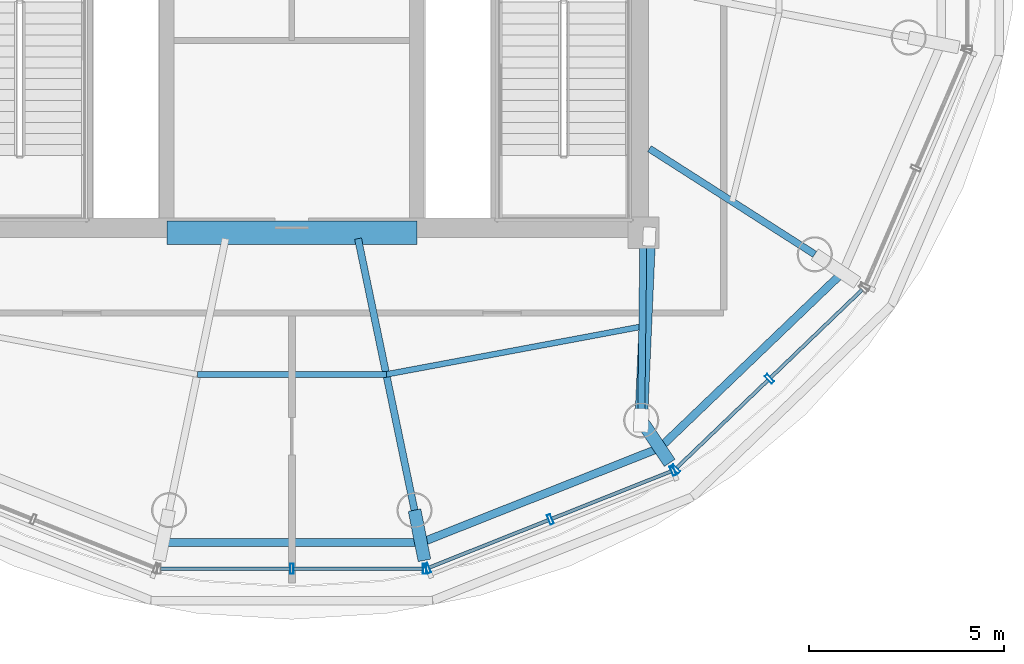
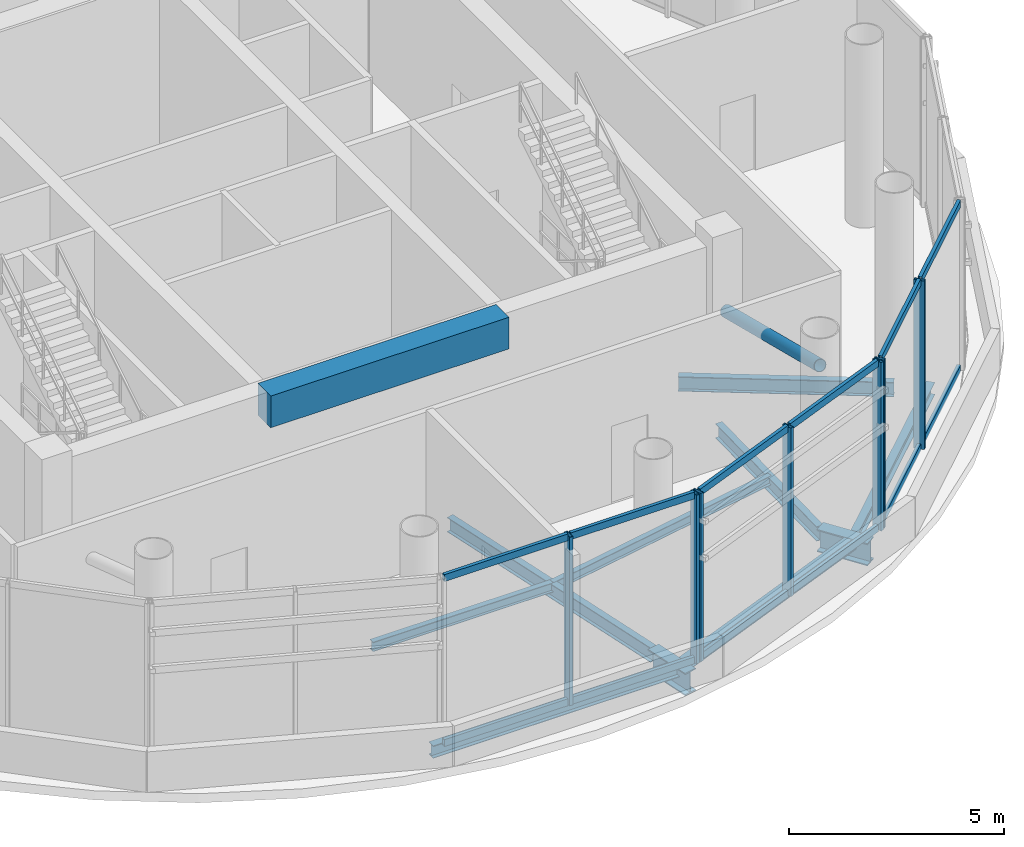
# One storey, part 3 of 15: 20 members, 11 beams, 3 elements without a shape of their own.
"""IFC4 building model written with IfcOpenShell, lengths in metres."""

from ifc_helpers import new_model, si_unit, direction, frame, origin, origin_2d, place, context, subcontext, project, spatial, rectangle, hollow_rectangle, hollow_circle, i_section, extrude, source, transform, mapped, material, material_profile, profile_set, type_object, element, aggregate, save


model = new_model("IFC4")

# Units and contexts
model_context = context("Model", 3, precision=1e-05, world=origin(), true_north=direction((-0.2419218956, 0.970295726276)))
body_context = subcontext(model_context, "Body", "Model", "MODEL_VIEW")
ifc_project = project(units=[si_unit("LENGTHUNIT", "METRE"), si_unit("AREAUNIT", "SQUARE_METRE"), si_unit("VOLUMEUNIT", "CUBIC_METRE"), si_unit("PLANEANGLEUNIT", "RADIAN"), si_unit("MASSUNIT", "GRAM", prefix="KILO")], contexts=[model_context])

# Site, building, storey
site_placement = place(None, origin())
site = spatial("IfcSite", under=ifc_project, at=site_placement, CompositionType="ELEMENT")
building_placement = place(site_placement, origin())
building = spatial("IfcBuilding", under=site, at=building_placement, Name="Cobrevalo Terracotta Tower", CompositionType="ELEMENT")
storey_placement = place(building_placement, frame((0.0, 0.0, 306.10009765625)))
storey = spatial("IfcBuildingStorey", under=building, at=storey_placement, Name="L80", CompositionType="ELEMENT", Elevation=306.10009765625)

# Beams
ifc_material_1 = material(Name="Concrete C60", Category="concrete")
ifc_material_profile_1 = material_profile(ifc_material_1, rectangle(XDim=0.60009765625, YDim=0.89990234375, at=origin_2d()), Name="RC CB 600x900")
ifc_profile_set_1 = profile_set([ifc_material_profile_1], Name="Concrete C60")
beam_type_1 = type_object("IfcBeamType", Name="Structural Beam RC CB 600x900 (Concrete C60)", PredefinedType="BEAM", material=ifc_profile_set_1)
beam_1_placement = place(storey_placement, frame((34.800048828125, 18.800048828125, 4.329833984375), z_axis=(1.0, 0.0, 0.0), x_axis=(0.0, 1.0, 0.0)))
element("IfcBeam", 1, at=beam_1_placement, inside=storey, type_object=beam_type_1, Name="L80 core coupling beam 1", PredefinedType="BEAM", context=body_context, shape_type="SweptSolid", body=[
    extrude(rectangle(XDim=0.60009765625, YDim=0.89990234375, at=origin_2d()), origin(), (0.0, 0.0, 1.0), 6.39990234375),
])
ifc_material_2 = material(Name="Steel S355", Category="steel")
ifc_material_profile_2 = material_profile(ifc_material_2, i_section(OverallWidth=0.179931640625, OverallDepth=0.4130859375, WebThickness=0.009765625, FlangeThickness=0.01611328125, at=origin_2d()), Name="W 410x75")
ifc_profile_set_2 = profile_set([ifc_material_profile_2], Name="Steel S355")
beam_type_2 = type_object("IfcBeamType", Name="Structural Beam W 410x75 (Steel S355)", PredefinedType="BEAM", material=ifc_profile_set_2)
beam_2_placement = place(storey_placement, frame((41.140869140625, 11.69580078125, -0.626708984375), z_axis=(-0.203591619703, 0.9790558985, 0.0), x_axis=(-0.9790558985, -0.203591619703, 0.0)))
element("IfcBeam", 2, at=beam_2_placement, inside=storey, type_object=beam_type_2, Name="L80 radial floor girder 13", PredefinedType="BEAM", context=body_context, shape_type="SweptSolid", body=[
    extrude(i_section(OverallWidth=0.179931640625, OverallDepth=0.4130859375, WebThickness=0.009765625, FlangeThickness=0.01611328125, at=origin_2d()), origin(), (0.0, 0.0, 1.0), 7.097900390625),
])
beam_3_placement = place(storey_placement, frame((46.944580078125, 13.995361328125, -0.626708984375), z_axis=(0.01153378561, 0.999933483683, 0.0), x_axis=(-0.999933483683, 0.01153378561, 0.0)))
element("IfcBeam", 3, at=beam_3_placement, inside=storey, type_object=beam_type_2, Name="L80 radial floor girder 14", PredefinedType="BEAM", context=body_context, shape_type="SweptSolid", body=[
    extrude(i_section(OverallWidth=0.179931640625, OverallDepth=0.4130859375, WebThickness=0.009765625, FlangeThickness=0.01611328125, at=origin_2d()), origin(), (0.0, 0.0, 1.0), 4.804931640625),
])
beam_4_placement = place(storey_placement, frame((51.38671875, 18.244140625, -0.626708984375), z_axis=(-0.84260496226, 0.538532150921, 0.0), x_axis=(-0.538532150921, -0.84260496226, 0.0)))
element("IfcBeam", 4, at=beam_4_placement, inside=storey, type_object=beam_type_2, Name="L80 radial floor girder 15", PredefinedType="BEAM", context=body_context, shape_type="SweptSolid", body=[
    extrude(i_section(OverallWidth=0.179931640625, OverallDepth=0.4130859375, WebThickness=0.009765625, FlangeThickness=0.01611328125, at=origin_2d()), origin(), (0.0, 0.0, 1.0), 5.022216796875),
])
ifc_material_profile_3 = material_profile(ifc_material_2, i_section(OverallWidth=0.3291015625, OverallDepth=0.635009765625, WebThickness=0.017822265625, FlangeThickness=0.031005859375, at=origin_2d()), Name="W 610x241")
ifc_profile_set_3 = profile_set([ifc_material_profile_3], Name="Steel S355")
beam_type_3 = type_object("IfcBeamType", Name="Structural Beam W 610x241 (Steel S355)", PredefinedType="BEAM", material=ifc_profile_set_3)
for number, where, z_axis, x_axis, name in (
    (5, (41.396484375, 10.4111328125, -0.737548828125), (-0.195148255679, 0.980773754902, 0.0), (-0.980773754902, -0.195148255679, 0.0), "L80 setback step-link girder 13"),
    (6, (47.67236328125, 12.90625, -0.737548828125), (-0.555603102571, 0.831447648631, 0.0), (-0.831447648631, -0.555603102571, 0.0), "L80 setback step-link girder 14"),
):
    element("IfcBeam", number, at=place(storey_placement, frame(where, z_axis=z_axis, x_axis=x_axis)), inside=storey, type_object=beam_type_3, Name=name, PredefinedType="BEAM", context=body_context, shape_type="SweptSolid", body=[
        extrude(i_section(OverallWidth=0.3291015625, OverallDepth=0.635009765625, WebThickness=0.017822265625, FlangeThickness=0.031005859375, at=origin_2d()), origin(), (0.0, 0.0, 1.0), 1.309814453125),
    ])
ifc_material_profile_4 = material_profile(ifc_material_2, i_section(OverallWidth=0.14794921875, OverallDepth=0.26611328125, WebThickness=0.007568359375, FlangeThickness=0.012939453125, at=origin_2d()), Name="W 250x44.8")
ifc_profile_set_4 = profile_set([ifc_material_profile_4], Name="Steel S355")
beam_type_4 = type_object("IfcBeamType", Name="Structural Joist W 250x44.8 (Steel S355)", PredefinedType="JOIST", material=ifc_profile_set_4)
beam_5_placement = place(storey_placement, frame((35.58154296875, 15.17041015625, -0.552978515625), z_axis=(1.0, 0.0, 0.0), x_axis=(0.0, 1.0, 0.0)))
element("IfcBeam", 7, at=beam_5_placement, inside=storey, type_object=beam_type_4, Name="L80 circumferential secondary floor joist 12", PredefinedType="JOIST", context=body_context, shape_type="SweptSolid", body=[
    extrude(i_section(OverallWidth=0.14794921875, OverallDepth=0.26611328125, WebThickness=0.007568359375, FlangeThickness=0.012939453125, at=origin_2d()), origin(), (0.0, 0.0, 1.0), 4.8369140625),
])
beam_6_placement = place(storey_placement, frame((40.41845703125, 15.17041015625, -0.552978515625), z_axis=(0.982914854387, 0.184060829689, 0.0), x_axis=(-0.184060829689, 0.982914854387, 0.0)))
element("IfcBeam", 8, at=beam_6_placement, inside=storey, type_object=beam_type_4, Name="L80 circumferential secondary floor joist 13", PredefinedType="JOIST", context=body_context, shape_type="SweptSolid", body=[
    extrude(i_section(OverallWidth=0.14794921875, OverallDepth=0.26611328125, WebThickness=0.007568359375, FlangeThickness=0.012939453125, at=origin_2d()), origin(), (0.0, 0.0, 1.0), 6.66796875),
])
ifc_material_profile_5 = material_profile(ifc_material_2, i_section(OverallWidth=0.205078125, OverallDepth=0.35400390625, WebThickness=0.009521484375, FlangeThickness=0.016845703125, at=origin_2d()), Name="W 360x79")
ifc_profile_set_5 = profile_set([ifc_material_profile_5], Name="Steel S355")
beam_type_5 = type_object("IfcBeamType", Name="Structural Spandrel W 360x79 (Steel S355)", PredefinedType="SPANDREL", material=ifc_profile_set_5)
beam_7_placement = place(storey_placement, frame((34.693115234375, 10.8623046875, -0.59716796875), z_axis=(1.0, 0.0, 0.0), x_axis=(0.0, 1.0, 0.0)))
element("IfcBeam", 9, at=beam_7_placement, inside=storey, type_object=beam_type_5, Name="L80 perimeter ring spandrel 12", PredefinedType="SPANDREL", context=body_context, shape_type="SweptSolid", body=[
    extrude(i_section(OverallWidth=0.205078125, OverallDepth=0.35400390625, WebThickness=0.009521484375, FlangeThickness=0.016845703125, at=origin_2d()), origin(), (0.0, 0.0, 1.0), 6.61376953125),
])
beam_8_placement = place(storey_placement, frame((41.306884765625, 10.8623046875, -0.59716796875), z_axis=(0.929406010795, 0.369058893806, 0.0), x_axis=(-0.369058893806, 0.929406010795, 0.0)))
element("IfcBeam", 10, at=beam_8_placement, inside=storey, type_object=beam_type_5, Name="L80 perimeter ring spandrel 13", PredefinedType="SPANDREL", context=body_context, shape_type="SweptSolid", body=[
    extrude(i_section(OverallWidth=0.205078125, OverallDepth=0.35400390625, WebThickness=0.009521484375, FlangeThickness=0.016845703125, at=origin_2d()), origin(), (0.0, 0.0, 1.0), 6.57421875),
])
beam_9_placement = place(storey_placement, frame((47.4169921875, 13.28857421875, -0.59716796875), z_axis=(0.721854060625, 0.692045312938, 0.0), x_axis=(-0.692045312938, 0.721854060625, 0.0)))
element("IfcBeam", 11, at=beam_9_placement, inside=storey, type_object=beam_type_5, Name="L80 perimeter ring spandrel 14", PredefinedType="SPANDREL", context=body_context, shape_type="SweptSolid", body=[
    extrude(i_section(OverallWidth=0.205078125, OverallDepth=0.35400390625, WebThickness=0.009521484375, FlangeThickness=0.016845703125, at=origin_2d()), origin(), (0.0, 0.0, 1.0), 6.478515625),
])

# Member
ifc_material_profile_6 = material_profile(ifc_material_2, hollow_circle(Radius=0.162109375, WallThickness=0.013916015625, at=origin_2d()), Name="CHS 324x14")
ifc_profile_set_6 = profile_set([ifc_material_profile_6], Name="Steel S355")
member_type_1 = type_object("IfcMemberType", Name="Steel Brace CHS 324x14 (Steel S355)", PredefinedType="BRACE", material=ifc_profile_set_6)
shared_shape_1 = source(origin(), body_context, "Body", "SweptSolid", [
    extrude(hollow_circle(Radius=0.162109375, WallThickness=0.013916015625, at=origin_2d()), origin(), (0.0, 0.0, 1.0), 4.906982421875),
])
member_1_placement = place(storey_placement, frame((47.14990234375, 18.699951171875, 2.75), z_axis=(-0.041842075868, -0.958735793071, 0.281202631159), x_axis=(0.999049003969, -0.043601464055, 0.0)))
element("IfcMember", 12, at=member_1_placement, inside=storey, type_object=member_type_1, Name="L80 CROWN FRAME radial brace 04", PredefinedType="BRACE", context=body_context, shape_type="MappedRepresentation", body=[
    mapped(shared_shape_1, transform((0.0, 0.0, 0.0), scale=1.0)),
])

# Curtain wall, members
ifc_material_3 = material(Name="Anodized aluminium", Category="aluminium")
curtain_wall_type = type_object("IfcCurtainWallType", Name="Faceted glass-point crown structural glazing system CW-CR", PredefinedType="NOTDEFINED", material=ifc_material_3)
curtain_wall_1_placement = place(storey_placement, origin())
curtain_wall_1 = element("IfcCurtainWall", 13, at=curtain_wall_1_placement, inside=storey, type_object=curtain_wall_type, Name="L80 curtain wall CW-CRN-L80-S12", PredefinedType="NOTDEFINED")
ifc_material_profile_7 = material_profile(ifc_material_3, hollow_rectangle(XDim=0.090087890625, YDim=0.260009765625, WallThickness=0.006103515625, at=origin_2d()), Name="CWM 90x260")
ifc_profile_set_7 = profile_set([ifc_material_profile_7], Name="Anodized aluminium")
member_type_2 = type_object("IfcMemberType", Name="Crown structural glass mullion 90x260", PredefinedType="MULLION", material=ifc_profile_set_7)
shared_shape_2 = source(origin(), body_context, "Body", "SweptSolid", [
    extrude(hollow_rectangle(XDim=0.090087890625, YDim=0.260009765625, WallThickness=0.006103515625, at=origin_2d()), origin(), (0.0, 0.0, 1.0), 4.77978515625),
])
member_2_placement = place(storey_placement, frame((38.0, 10.1953125, 0.0), z_axis=(0.0, 0.0, 1.0), x_axis=(1.0, 0.0, 0.0)))
member_2 = element("IfcMember", 14, at=member_2_placement, type_object=member_type_2, Name="CW-CRN-L80-S12 vertical mullion 02", PredefinedType="MULLION", context=body_context, shape_type="MappedRepresentation", body=[
    mapped(shared_shape_2, transform((0.0, 0.0, 0.0), scale=1.0)),
])
member_3_placement = place(storey_placement, frame((41.3994140625, 10.1953125, 0.0), z_axis=(0.0, 0.0, 1.0), x_axis=(1.0, 0.0, 0.0)))
member_3 = element("IfcMember", 15, at=member_3_placement, type_object=member_type_2, Name="CW-CRN-L80-S12 vertical mullion 03", PredefinedType="MULLION", context=body_context, shape_type="MappedRepresentation", body=[
    mapped(shared_shape_2, transform((0.0, 0.0, 0.0), scale=1.0)),
])

curtain_wall_2_placement = place(storey_placement, origin())
curtain_wall_2 = element("IfcCurtainWall", 16, at=curtain_wall_2_placement, inside=storey, type_object=curtain_wall_type, Name="L80 curtain wall CW-CRN-L80-S13", PredefinedType="NOTDEFINED")
member_4_placement = place(storey_placement, frame((41.4765625, 10.210205078125, 0.0), z_axis=(0.0, 0.0, 1.0), x_axis=(0.929190639756, 0.36960080491, 0.0)))
member_4 = element("IfcMember", 17, at=member_4_placement, type_object=member_type_2, Name="CW-CRN-L80-S13 vertical mullion 01", PredefinedType="MULLION", context=body_context, shape_type="MappedRepresentation", body=[
    mapped(shared_shape_2, transform((0.0, 0.0, 0.0), scale=1.0)),
])
member_5_placement = place(storey_placement, frame((44.6171875, 11.459228515625, 0.0), z_axis=(0.0, 0.0, 1.0), x_axis=(0.929190639756, 0.36960080491, 0.0)))
member_5 = element("IfcMember", 18, at=member_5_placement, type_object=member_type_2, Name="CW-CRN-L80-S13 vertical mullion 02", PredefinedType="MULLION", context=body_context, shape_type="MappedRepresentation", body=[
    mapped(shared_shape_2, transform((0.0, 0.0, 0.0), scale=1.0)),
])
member_6_placement = place(storey_placement, frame((47.757568359375, 12.70849609375, 0.0), z_axis=(0.0, 0.0, 1.0), x_axis=(0.929190639756, 0.36960080491, 0.0)))
member_6 = element("IfcMember", 19, at=member_6_placement, type_object=member_type_2, Name="CW-CRN-L80-S13 vertical mullion 03", PredefinedType="MULLION", context=body_context, shape_type="MappedRepresentation", body=[
    mapped(shared_shape_2, transform((0.0, 0.0, 0.0), scale=1.0)),
])

curtain_wall_3_placement = place(storey_placement, origin())
curtain_wall_3 = element("IfcCurtainWall", 20, at=curtain_wall_3_placement, inside=storey, type_object=curtain_wall_type, Name="L80 curtain wall CW-CRN-L80-S14", PredefinedType="NOTDEFINED")
member_7_placement = place(storey_placement, frame((47.823486328125, 12.7509765625, 0.0), z_axis=(0.0, 0.0, 1.0), x_axis=(0.721276845158, 0.692646888854, 0.0)))
member_7 = element("IfcMember", 21, at=member_7_placement, type_object=member_type_2, Name="CW-CRN-L80-S14 vertical mullion 01", PredefinedType="MULLION", context=body_context, shape_type="MappedRepresentation", body=[
    mapped(shared_shape_2, transform((0.0, 0.0, 0.0), scale=1.0)),
])
member_8_placement = place(storey_placement, frame((50.226806640625, 15.05859375, 0.0), z_axis=(0.0, 0.0, 1.0), x_axis=(0.721276845158, 0.692646888854, 0.0)))
member_8 = element("IfcMember", 22, at=member_8_placement, type_object=member_type_2, Name="CW-CRN-L80-S14 vertical mullion 02", PredefinedType="MULLION", context=body_context, shape_type="MappedRepresentation", body=[
    mapped(shared_shape_2, transform((0.0, 0.0, 0.0), scale=1.0)),
])
ifc_material_profile_8 = material_profile(ifc_material_3, hollow_rectangle(XDim=0.090087890625, YDim=0.195068359375, WallThickness=0.005615234375, at=origin_2d()), Name="CWT 90x195")
ifc_profile_set_8 = profile_set([ifc_material_profile_8], Name="Anodized aluminium")
member_type_3 = type_object("IfcMemberType", Name="Crown structural aluminium transom 90x195", PredefinedType="USERDEFINED", material=ifc_profile_set_8)
shared_shape_3 = source(origin(), body_context, "Body", "SweptSolid", [
    extrude(hollow_rectangle(XDim=0.090087890625, YDim=0.195068359375, WallThickness=0.005615234375, at=origin_2d()), origin(), (0.0, 0.0, 1.0), 3.251953125),
])
member_9_placement = place(storey_placement, frame((47.852294921875, 12.778564453125, 0.0498046875), z_axis=(0.721300303297, 0.692622460265, 0.0), x_axis=(-0.692622460265, 0.721300303297, 0.0)))
member_9 = element("IfcMember", 23, at=member_9_placement, type_object=member_type_3, Name="CW-CRN-L80-S14 transom B01-T1", ObjectType="TRANSOM", PredefinedType="USERDEFINED", context=body_context, shape_type="MappedRepresentation", body=[
    mapped(shared_shape_3, transform((0.0, 0.0, 0.0), scale=1.0)),
])
member_10_placement = place(storey_placement, frame((47.852294921875, 12.778564453125, 4.72998046875), z_axis=(0.721300303297, 0.692622460265, 0.0), x_axis=(-0.692622460265, 0.721300303297, 0.0)))
member_10 = element("IfcMember", 24, at=member_10_placement, type_object=member_type_3, Name="CW-CRN-L80-S14 transom B01-T2", ObjectType="TRANSOM", PredefinedType="USERDEFINED", context=body_context, shape_type="MappedRepresentation", body=[
    mapped(shared_shape_3, transform((0.0, 0.0, 0.0), scale=1.0)),
])
member_11_placement = place(storey_placement, frame((50.255615234375, 15.08642578125, 0.0498046875), z_axis=(0.721264285966, 0.692659966932, 0.0), x_axis=(-0.692659966932, 0.721264285966, 0.0)))
member_11 = element("IfcMember", 25, at=member_11_placement, type_object=member_type_3, Name="CW-CRN-L80-S14 transom B02-T1", ObjectType="TRANSOM", PredefinedType="USERDEFINED", context=body_context, shape_type="MappedRepresentation", body=[
    mapped(shared_shape_3, transform((0.0, 0.0, 0.0), scale=1.0)),
])
member_12_placement = place(storey_placement, frame((50.255615234375, 15.08642578125, 4.72998046875), z_axis=(0.721264285966, 0.692659966932, 0.0), x_axis=(-0.692659966932, 0.721264285966, 0.0)))
member_12 = element("IfcMember", 26, at=member_12_placement, type_object=member_type_3, Name="CW-CRN-L80-S14 transom B02-T2", ObjectType="TRANSOM", PredefinedType="USERDEFINED", context=body_context, shape_type="MappedRepresentation", body=[
    mapped(shared_shape_3, transform((0.0, 0.0, 0.0), scale=1.0)),
])
aggregate(curtain_wall_3, [member_7, member_8, member_9, member_10, member_11, member_12])

# Member
shared_shape_4 = source(origin(), body_context, "Body", "SweptSolid", [
    extrude(hollow_rectangle(XDim=0.090087890625, YDim=0.195068359375, WallThickness=0.005615234375, at=origin_2d()), origin(), (0.0, 0.0, 1.0), 3.2998046875),
])
member_13_placement = place(storey_placement, frame((41.513671875, 10.224853515625, 0.0498046875), z_axis=(0.92917915641, 0.369629673177, 0.0), x_axis=(-0.369629673177, 0.92917915641, 0.0)))
member_13 = element("IfcMember", 27, at=member_13_placement, type_object=member_type_3, Name="CW-CRN-L80-S13 transom B01-T1", ObjectType="TRANSOM", PredefinedType="USERDEFINED", context=body_context, shape_type="MappedRepresentation", body=[
    mapped(shared_shape_4, transform((0.0, 0.0, 0.0), scale=1.0)),
])

member_14_placement = place(storey_placement, frame((41.513671875, 10.224853515625, 4.72998046875), z_axis=(0.92917915641, 0.369629673177, 0.0), x_axis=(-0.369629673177, 0.92917915641, 0.0)))
member_14 = element("IfcMember", 28, at=member_14_placement, type_object=member_type_3, Name="CW-CRN-L80-S13 transom B01-T2", ObjectType="TRANSOM", PredefinedType="USERDEFINED", context=body_context, shape_type="MappedRepresentation", body=[
    mapped(shared_shape_4, transform((0.0, 0.0, 0.0), scale=1.0)),
])

member_15_placement = place(storey_placement, frame((44.654296875, 11.47412109375, 0.0498046875), z_axis=(0.929204565262, 0.369565793732, 0.0), x_axis=(-0.369565793732, 0.929204565262, 0.0)))
member_15 = element("IfcMember", 29, at=member_15_placement, type_object=member_type_3, Name="CW-CRN-L80-S13 transom B02-T1", ObjectType="TRANSOM", PredefinedType="USERDEFINED", context=body_context, shape_type="MappedRepresentation", body=[
    mapped(shared_shape_4, transform((0.0, 0.0, 0.0), scale=1.0)),
])

member_16_placement = place(storey_placement, frame((44.654296875, 11.47412109375, 4.72998046875), z_axis=(0.929204565262, 0.369565793732, 0.0), x_axis=(-0.369565793732, 0.929204565262, 0.0)))
member_16 = element("IfcMember", 30, at=member_16_placement, type_object=member_type_3, Name="CW-CRN-L80-S13 transom B02-T2", ObjectType="TRANSOM", PredefinedType="USERDEFINED", context=body_context, shape_type="MappedRepresentation", body=[
    mapped(shared_shape_4, transform((0.0, 0.0, 0.0), scale=1.0)),
])

aggregate(curtain_wall_2, [member_4, member_5, member_6, member_13, member_14, member_15, member_16])

shared_shape_5 = source(origin(), body_context, "Body", "SweptSolid", [
    extrude(hollow_rectangle(XDim=0.090087890625, YDim=0.195068359375, WallThickness=0.005615234375, at=origin_2d()), origin(), (0.0, 0.0, 1.0), 3.3193359375),
])
member_17_placement = place(storey_placement, frame((34.640625, 10.1953125, 0.0498046875), z_axis=(1.0, 0.0, 0.0), x_axis=(0.0, 1.0, 0.0)))
member_17 = element("IfcMember", 31, at=member_17_placement, type_object=member_type_3, Name="CW-CRN-L80-S12 transom B01-T1", ObjectType="TRANSOM", PredefinedType="USERDEFINED", context=body_context, shape_type="MappedRepresentation", body=[
    mapped(shared_shape_5, transform((0.0, 0.0, 0.0), scale=1.0)),
])

member_18_placement = place(storey_placement, frame((34.640625, 10.1953125, 4.72998046875), z_axis=(1.0, 0.0, 0.0), x_axis=(0.0, 1.0, 0.0)))
member_18 = element("IfcMember", 32, at=member_18_placement, type_object=member_type_3, Name="CW-CRN-L80-S12 transom B01-T2", ObjectType="TRANSOM", PredefinedType="USERDEFINED", context=body_context, shape_type="MappedRepresentation", body=[
    mapped(shared_shape_5, transform((0.0, 0.0, 0.0), scale=1.0)),
])

member_19_placement = place(storey_placement, frame((38.0400390625, 10.1953125, 0.0498046875), z_axis=(1.0, 0.0, 0.0), x_axis=(0.0, 1.0, 0.0)))
member_19 = element("IfcMember", 33, at=member_19_placement, type_object=member_type_3, Name="CW-CRN-L80-S12 transom B02-T1", ObjectType="TRANSOM", PredefinedType="USERDEFINED", context=body_context, shape_type="MappedRepresentation", body=[
    mapped(shared_shape_5, transform((0.0, 0.0, 0.0), scale=1.0)),
])

member_20_placement = place(storey_placement, frame((38.0400390625, 10.1953125, 4.72998046875), z_axis=(1.0, 0.0, 0.0), x_axis=(0.0, 1.0, 0.0)))
member_20 = element("IfcMember", 34, at=member_20_placement, type_object=member_type_3, Name="CW-CRN-L80-S12 transom B02-T2", ObjectType="TRANSOM", PredefinedType="USERDEFINED", context=body_context, shape_type="MappedRepresentation", body=[
    mapped(shared_shape_5, transform((0.0, 0.0, 0.0), scale=1.0)),
])

aggregate(curtain_wall_1, [member_2, member_3, member_17, member_18, member_19, member_20])

save(model, "model.ifc")
